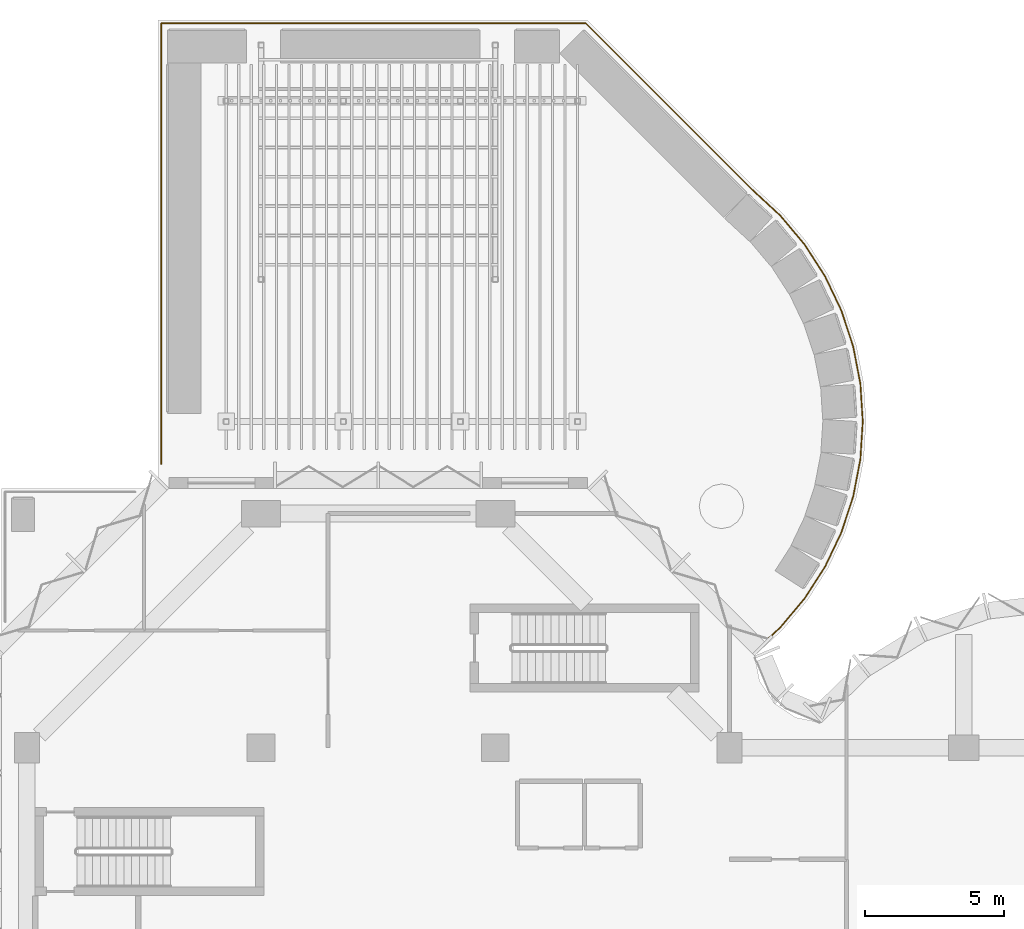
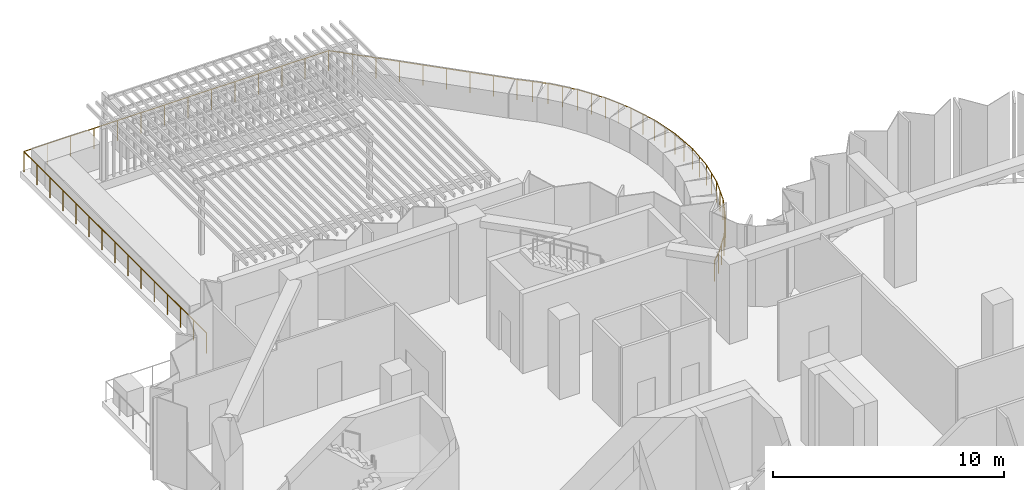
# One storey, part 15 of 15: 1 railing.
"""IFC4 building model written with IfcOpenShell, lengths in metres."""

import ifcopenshell
import ifcopenshell.guid

model = None  # the IFC model being written
_history = None  # IfcOwnerHistory: only IFC2X3 demands one
_inside = {}  # id of a spatial element -> (the spatial element, [elements in it])
_under = {}  # id of a project, library or spatial element -> (it, [spatial elements below it])
_declared = {}  # id of a project -> (the project, [libraries it declares])
_typed = {}  # id of a type object -> (the type object, [elements of that type])
_made_of = {}  # id of a material, layer set ... -> (it, [elements and type objects made of it])


def new_model(schema):
    """Start an empty IFC model of exactly this schema.

    Asked for "IFC4X3", IfcOpenShell would pick the latest addendum, in which some entities
    have other attributes; the version numbers below select the first issue.
    IFC2X3 requires an IfcOwnerHistory on every rooted entity: one is made here for all.
    """
    global model, _history
    if schema == "IFC4X3":
        model = ifcopenshell.file(schema_version=(4, 3, 0, 0))
    else:
        model = ifcopenshell.file(schema=schema)
    _inside.clear()
    _under.clear()
    _declared.clear()
    _typed.clear()
    _made_of.clear()
    _history = None
    if model.schema == "IFC2X3":
        org = make("IfcOrganization", Name="unknown")
        user = make(
            "IfcPersonAndOrganization",
            ThePerson=make("IfcPerson", FamilyName="unknown"),
            TheOrganization=org,
        )
        app = make(
            "IfcApplication",
            ApplicationDeveloper=org,
            Version="unknown",
            ApplicationFullName="unknown",
            ApplicationIdentifier="unknown",
        )
        _history = make(
            "IfcOwnerHistory",
            OwningUser=user,
            OwningApplication=app,
            ChangeAction="ADDED",
            CreationDate=0,
        )
    return model


def make(cls, **values):
    """One entity of the class cls with the attributes given. An attribute that is None is left unset."""
    return model.create_entity(
        cls, **{name: value for name, value in values.items() if value is not None}
    )


def rooted(cls, **values):
    """An entity with a GlobalId (a new one), such as an element, a storey or a relation."""
    return make(cls, GlobalId=ifcopenshell.guid.new(), OwnerHistory=_history, **values)


def si_unit(unit_type, name, prefix=None):
    """IfcSIUnit, for example si_unit("LENGTHUNIT", "METRE", prefix="MILLI")."""
    return make("IfcSIUnit", UnitType=unit_type, Prefix=prefix, Name=name)


def assignment(units):
    """IfcUnitAssignment: the units of a project."""
    return None if units is None else make("IfcUnitAssignment", Units=units)


def point(xyz):
    """IfcCartesianPoint."""
    return None if xyz is None else make("IfcCartesianPoint", Coordinates=xyz)


def direction(xyz):
    """IfcDirection."""
    return None if xyz is None else make("IfcDirection", DirectionRatios=xyz)


def frame(location, z_axis=None, x_axis=None):
    """IfcAxis2Placement3D, a coordinate frame: its origin and axes. An axis left out is left unset."""
    return make(
        "IfcAxis2Placement3D",
        Location=point(location),
        Axis=direction(z_axis),
        RefDirection=direction(x_axis),
    )


def frame_2d(location, x_axis=None):
    """IfcAxis2Placement2D, a coordinate frame in the plane: its origin and x axis."""
    return make(
        "IfcAxis2Placement2D", Location=point(location), RefDirection=direction(x_axis)
    )


def origin():
    """The frame at (0, 0, 0) with its axes left unset."""
    return frame((0.0, 0.0, 0.0))


def origin_2d():
    """The frame at (0, 0) in the plane with its x axis left unset."""
    return frame_2d((0.0, 0.0))


def place(relative_to, where):
    """IfcLocalPlacement: puts the frame where relative to a parent placement (None: the world)."""
    return make(
        "IfcLocalPlacement", PlacementRelTo=relative_to, RelativePlacement=where
    )


def context(
    kind, dimensions, precision=None, world=None, true_north=None, identifier=None
):
    """IfcGeometricRepresentationContext, for example the 3D "Model" context."""
    return make(
        "IfcGeometricRepresentationContext",
        ContextIdentifier=identifier,
        ContextType=kind,
        CoordinateSpaceDimension=dimensions,
        Precision=precision,
        WorldCoordinateSystem=world,
        TrueNorth=true_north,
    )


def subcontext(parent, identifier, kind, view, scale=None):
    """IfcGeometricRepresentationSubContext, for example "Body" below "Model"."""
    return make(
        "IfcGeometricRepresentationSubContext",
        ContextIdentifier=identifier,
        ContextType=kind,
        ParentContext=parent,
        TargetScale=scale,
        TargetView=view,
    )


def project(units=None, contexts=None):
    """IfcProject with its units and contexts."""
    return rooted(
        "IfcProject",
        Name="project",
        RepresentationContexts=contexts,
        UnitsInContext=assignment(units),
    )


def spatial(cls, under=None, at=None, **own):
    """A site, building, storey or space (cls), placed at a placement, below another one or the project."""
    s = rooted(cls, ObjectPlacement=at, **own)
    if under is not None:
        _under.setdefault(under.id(), (under, []))[1].append(s)
    return s


def profile(cls, at=None, kind="AREA", **sizes):
    """A parametric profile (cls). Its sizes go by their IFC names, for example OverallWidth=200.0."""
    return make(cls, ProfileType=kind, Position=at, **sizes)


def circle(**sizes):
    """IfcCircleProfileDef."""
    return profile("IfcCircleProfileDef", **sizes)


def extrude(swept, where, along, depth):
    """IfcExtrudedAreaSolid: the profile swept, set in the frame where, extruded along a direction by depth."""
    return make(
        "IfcExtrudedAreaSolid",
        SweptArea=swept,
        Position=where,
        ExtrudedDirection=direction(along),
        Depth=depth,
    )


def shape(context_of_items, identifier, shape_type, items):
    """IfcShapeRepresentation: the items that make up one representation, for example the "Body"."""
    return make(
        "IfcShapeRepresentation",
        ContextOfItems=context_of_items,
        RepresentationIdentifier=identifier,
        RepresentationType=shape_type,
        Items=items,
    )


def material(Name=None, Category=None):
    """IfcMaterial."""
    return make("IfcMaterial", Name=Name, Category=Category)


def made_of(thing, what):
    """Note that an element or type object is made of a material, layer set ...; save() writes the relation."""
    if what is not None:
        _made_of.setdefault(what.id(), (what, []))[1].append(thing)
    return thing


def type_object(cls, material=None, **own):
    """A type object (cls), such as IfcWallType, which elements share."""
    return made_of(rooted(cls, **own), material)


def element(
    cls,
    number,
    at=None,
    inside=None,
    cuts=None,
    type_object=None,
    material=None,
    context=None,
    identifier="Body",
    shape_type=None,
    held_by="IfcProductDefinitionShape",
    body=None,
    shapes=None,
    **own,
):
    """One element of the class cls, such as IfcWall. Its Tag is "e" and its number.

    at: its placement. inside: the storey or other place that contains it. cuts: it is an
    opening in that element (IfcRelVoidsElement). A single representation is given by context,
    identifier, shape_type and body (its items); several are given by shapes. held_by: the class
    of the entity that holds the representations. save() writes the other relations.
    """
    e = rooted(cls, Tag="e%d" % number, ObjectPlacement=at, **own)
    if body is not None:
        shapes = [shape(context, identifier, shape_type, body)]
    if shapes is not None:
        e.Representation = make(held_by, Representations=shapes)
    if inside is not None:
        _inside.setdefault(inside.id(), (inside, []))[1].append(e)
    if cuts is not None:
        rooted(
            "IfcRelVoidsElement", RelatingBuildingElement=cuts, RelatedOpeningElement=e
        )
    if type_object is not None:
        _typed.setdefault(type_object.id(), (type_object, []))[1].append(e)
    return made_of(e, material)


def aggregate(whole, parts):
    """IfcRelAggregates: a whole, such as a stair, and the parts it consists of."""
    return rooted("IfcRelAggregates", RelatingObject=whole, RelatedObjects=parts)


def save(model, path):
    """Write the relations noted so far, then the file.

    IfcRelAggregates (storeys below a building ...), IfcRelContainedInSpatialStructure (elements
    in a storey), IfcRelDefinesByType, IfcRelAssociatesMaterial and IfcRelDeclares: one each for
    every whole, place, type object, material and project.
    """
    for whole, parts in _under.values():
        aggregate(whole, parts)
    for where, things in _inside.values():
        rooted(
            "IfcRelContainedInSpatialStructure",
            RelatedElements=things,
            RelatingStructure=where,
        )
    for kind, things in _typed.values():
        rooted("IfcRelDefinesByType", RelatedObjects=things, RelatingType=kind)
    for what, things in _made_of.values():
        rooted("IfcRelAssociatesMaterial", RelatedObjects=things, RelatingMaterial=what)
    for by, libraries in _declared.values():
        rooted("IfcRelDeclares", RelatingContext=by, RelatedDefinitions=libraries)
    model.write(path)


model = new_model("IFC4")

# Units and contexts
model_context = context("Model", 3, precision=1e-05, world=origin(), true_north=direction((0.0, 1.0)))
body_context = subcontext(model_context, "Body", "Model", "MODEL_VIEW")
ifc_project = project(units=[si_unit("LENGTHUNIT", "METRE"), si_unit("AREAUNIT", "SQUARE_METRE"), si_unit("VOLUMEUNIT", "CUBIC_METRE"), si_unit("PLANEANGLEUNIT", "RADIAN"), si_unit("MASSUNIT", "GRAM", prefix="KILO")], contexts=[model_context])

# Site, building, storey
site_placement = place(None, origin())
site = spatial("IfcSite", under=ifc_project, at=site_placement, CompositionType="ELEMENT")
building_placement = place(site_placement, origin())
building = spatial("IfcBuilding", under=site, at=building_placement, Name="Brevane Broadcast Tower", CompositionType="ELEMENT")
storey_placement = place(building_placement, frame((0.0, 0.0, 206.39990234375)))
storey = spatial("IfcBuildingStorey", under=building, at=storey_placement, Name="L52", CompositionType="ELEMENT", Elevation=206.39990234375)

# Railing
ifc_material = material(Name="Stainless steel 1.4404", Category="steel")
railing_type = type_object("IfcRailingType", Name="Terrace guard 1100", PredefinedType="GUARDRAIL", material=ifc_material)
railing_placement = place(storey_placement, frame((4.820068359375, 35.37744140625, 0.0)))
element("IfcRailing", 1, at=railing_placement, inside=storey, type_object=railing_type, Name="Terrace guard L52-3", PredefinedType="GUARDRAIL", context=body_context, shape_type="SweptSolid", body=[
    extrude(circle(Radius=0.02392578125, at=origin_2d()), frame((0.0, 0.0, 1.076171875), z_axis=(0.0, 1.0, 0.0), x_axis=(-1.0, 0.0, 0.0)), (0.0, 0.0, 1.0), 15.802490234375),
    extrude(circle(Radius=0.02392578125, at=origin_2d()), frame((0.0, 15.802490234375, 1.076171875), z_axis=(1.0, 0.0, 0.0), x_axis=(0.0, 1.0, 0.0)), (0.0, 0.0, 1.0), 15.230224609375),
    extrude(circle(Radius=0.02392578125, at=origin_2d()), frame((15.230224609375, 15.802490234375, 1.076171875), z_axis=(0.707106781187, -0.707106781187, 0.0), x_axis=(0.707106781187, 0.707106781187, 0.0)), (0.0, 0.0, 1.0), 8.43798828125),
    extrude(circle(Radius=0.02392578125, at=origin_2d()), frame((21.19677734375, 9.8359375, 1.076171875), z_axis=(0.734748691449, -0.678339413874, 0.0), x_axis=(0.678339413874, 0.734748691449, 0.0)), (0.0, 0.0, 1.0), 1.36767578125),
    extrude(circle(Radius=0.02392578125, at=origin_2d()), frame((22.20166015625, 8.908203125, 1.076171875), z_axis=(0.643027604303, -0.765842999644, 0.0), x_axis=(0.765842999644, 0.643027604303, 0.0)), (0.0, 0.0, 1.0), 1.357666015625),
    extrude(circle(Radius=0.02392578125, at=origin_2d()), frame((23.07470703125, 7.868408203125, 1.076171875), z_axis=(0.540848463495, -0.841120050608, 0.0), x_axis=(0.841120050608, 0.540848463495, 0.0)), (0.0, 0.0, 1.0), 1.35791015625),
    extrude(circle(Radius=0.02392578125, at=origin_2d()), frame((23.80908203125, 6.726318359375, 1.076171875), z_axis=(0.429940560306, -0.902857195022, 0.0), x_axis=(0.902857195022, 0.429940560306, 0.0)), (0.0, 0.0, 1.0), 1.357666015625),
    extrude(circle(Radius=0.02392578125, at=origin_2d()), frame((24.392822265625, 5.50048828125, 1.076171875), z_axis=(0.312178793813, -0.950023368499, 0.0), x_axis=(0.950023368499, 0.312178793813, 0.0)), (0.0, 0.0, 1.0), 1.357666015625),
    extrude(circle(Radius=0.02392578125, at=origin_2d()), frame((24.816650390625, 4.210693359375, 1.076171875), z_axis=(0.189160834315, -0.981946118054, 0.0), x_axis=(0.981946118054, 0.189160834315, 0.0)), (0.0, 0.0, 1.0), 1.357666015625),
    extrude(circle(Radius=0.02392578125, at=origin_2d()), frame((25.073486328125, 2.87744140625, 1.076171875), z_axis=(0.063475341036, -0.997983407217, 0.0), x_axis=(0.997983407217, 0.063475341036, 0.0)), (0.0, 0.0, 1.0), 1.357666015625),
    extrude(circle(Radius=0.02392578125, at=origin_2d()), frame((25.15966796875, 1.5224609375, 1.076171875), z_axis=(-0.063475341036, -0.997983407217, 0.0), x_axis=(0.997983407217, -0.063475341036, 0.0)), (0.0, 0.0, 1.0), 1.357666015625),
    extrude(circle(Radius=0.02392578125, at=origin_2d()), frame((25.073486328125, 0.16748046875, 1.076171875), z_axis=(-0.189194239172, -0.981939682396, 0.0), x_axis=(0.981939682396, -0.189194239172, 0.0)), (0.0, 0.0, 1.0), 1.357421875),
    extrude(circle(Radius=0.02392578125, at=origin_2d()), frame((24.816650390625, -1.16552734375, 1.076171875), z_axis=(-0.312178793813, -0.950023368499, 0.0), x_axis=(0.950023368499, -0.312178793813, 0.0)), (0.0, 0.0, 1.0), 1.357666015625),
    extrude(circle(Radius=0.02392578125, at=origin_2d()), frame((24.392822265625, -2.455322265625, 1.076171875), z_axis=(-0.429940560306, -0.902857195022, 0.0), x_axis=(0.902857195022, -0.429940560306, 0.0)), (0.0, 0.0, 1.0), 1.357666015625),
    extrude(circle(Radius=0.02392578125, at=origin_2d()), frame((23.80908203125, -3.68115234375, 1.076171875), z_axis=(-0.540848463495, -0.841120050608, 0.0), x_axis=(0.841120050608, -0.540848463495, 0.0)), (0.0, 0.0, 1.0), 1.35791015625),
    extrude(circle(Radius=0.02392578125, at=origin_2d()), frame((23.07470703125, -4.8232421875, 1.076171875), z_axis=(-0.643027604303, -0.765842999644, 0.0), x_axis=(0.765842999644, -0.643027604303, 0.0)), (0.0, 0.0, 1.0), 1.357666015625),
    extrude(circle(Radius=0.02392578125, at=origin_2d()), frame((22.20166015625, -5.863037109375, 1.076171875), z_axis=(-0.734668663565, -0.67842608645, 0.0), x_axis=(0.67842608645, -0.734668663565, 0.0)), (0.0, 0.0, 1.0), 0.625),
    extrude(circle(Radius=0.02099609375, at=origin_2d()), origin(), (0.0, 0.0, 1.0), 1.052001953125),
    extrude(circle(Radius=0.02099609375, at=origin_2d()), frame((0.0, 1.128662109375, 0.0)), (0.0, 0.0, 1.0), 1.052001953125),
    extrude(circle(Radius=0.02099609375, at=origin_2d()), frame((0.0, 2.257568359375, 0.0)), (0.0, 0.0, 1.0), 1.052001953125),
    extrude(circle(Radius=0.02099609375, at=origin_2d()), frame((0.0, 3.38623046875, 0.0)), (0.0, 0.0, 1.0), 1.052001953125),
    extrude(circle(Radius=0.02099609375, at=origin_2d()), frame((0.0, 4.514892578125, 0.0)), (0.0, 0.0, 1.0), 1.052001953125),
    extrude(circle(Radius=0.02099609375, at=origin_2d()), frame((0.0, 5.643798828125, 0.0)), (0.0, 0.0, 1.0), 1.052001953125),
    extrude(circle(Radius=0.02099609375, at=origin_2d()), frame((0.0, 6.7724609375, 0.0)), (0.0, 0.0, 1.0), 1.052001953125),
    extrude(circle(Radius=0.02099609375, at=origin_2d()), frame((0.0, 7.9013671875, 0.0)), (0.0, 0.0, 1.0), 1.052001953125),
    extrude(circle(Radius=0.02099609375, at=origin_2d()), frame((0.0, 9.030029296875, 0.0)), (0.0, 0.0, 1.0), 1.052001953125),
    extrude(circle(Radius=0.02099609375, at=origin_2d()), frame((0.0, 10.15869140625, 0.0)), (0.0, 0.0, 1.0), 1.052001953125),
    extrude(circle(Radius=0.02099609375, at=origin_2d()), frame((0.0, 11.28759765625, 0.0)), (0.0, 0.0, 1.0), 1.052001953125),
    extrude(circle(Radius=0.02099609375, at=origin_2d()), frame((0.0, 12.416259765625, 0.0)), (0.0, 0.0, 1.0), 1.052001953125),
    extrude(circle(Radius=0.02099609375, at=origin_2d()), frame((0.0, 13.544921875, 0.0)), (0.0, 0.0, 1.0), 1.052001953125),
    extrude(circle(Radius=0.02099609375, at=origin_2d()), frame((0.0, 14.673828125, 0.0)), (0.0, 0.0, 1.0), 1.052001953125),
    extrude(circle(Radius=0.02099609375, at=origin_2d()), frame((0.0, 15.802490234375, 0.0)), (0.0, 0.0, 1.0), 1.052001953125),
    extrude(circle(Radius=0.02099609375, at=origin_2d()), frame((1.171630859375, 15.802490234375, 0.0)), (0.0, 0.0, 1.0), 1.052001953125),
    extrude(circle(Radius=0.02099609375, at=origin_2d()), frame((2.343017578125, 15.802490234375, 0.0)), (0.0, 0.0, 1.0), 1.052001953125),
    extrude(circle(Radius=0.02099609375, at=origin_2d()), frame((3.5146484375, 15.802490234375, 0.0)), (0.0, 0.0, 1.0), 1.052001953125),
    extrude(circle(Radius=0.02099609375, at=origin_2d()), frame((4.686279296875, 15.802490234375, 0.0)), (0.0, 0.0, 1.0), 1.052001953125),
    extrude(circle(Radius=0.02099609375, at=origin_2d()), frame((5.857666015625, 15.802490234375, 0.0)), (0.0, 0.0, 1.0), 1.052001953125),
    extrude(circle(Radius=0.02099609375, at=origin_2d()), frame((7.029296875, 15.802490234375, 0.0)), (0.0, 0.0, 1.0), 1.052001953125),
    extrude(circle(Radius=0.02099609375, at=origin_2d()), frame((8.200927734375, 15.802490234375, 0.0)), (0.0, 0.0, 1.0), 1.052001953125),
    extrude(circle(Radius=0.02099609375, at=origin_2d()), frame((9.37255859375, 15.802490234375, 0.0)), (0.0, 0.0, 1.0), 1.052001953125),
    extrude(circle(Radius=0.02099609375, at=origin_2d()), frame((10.5439453125, 15.802490234375, 0.0)), (0.0, 0.0, 1.0), 1.052001953125),
    extrude(circle(Radius=0.02099609375, at=origin_2d()), frame((11.715576171875, 15.802490234375, 0.0)), (0.0, 0.0, 1.0), 1.052001953125),
    extrude(circle(Radius=0.02099609375, at=origin_2d()), frame((12.88720703125, 15.802490234375, 0.0)), (0.0, 0.0, 1.0), 1.052001953125),
    extrude(circle(Radius=0.02099609375, at=origin_2d()), frame((14.05859375, 15.802490234375, 0.0)), (0.0, 0.0, 1.0), 1.052001953125),
    extrude(circle(Radius=0.02099609375, at=origin_2d()), frame((15.230224609375, 15.802490234375, 0.0)), (0.0, 0.0, 1.0), 1.052001953125),
    extrude(circle(Radius=0.02099609375, at=origin_2d()), frame((15.97607421875, 15.056640625, 0.0)), (0.0, 0.0, 1.0), 1.052001953125),
    extrude(circle(Radius=0.02099609375, at=origin_2d()), frame((16.721923828125, 14.310791015625, 0.0)), (0.0, 0.0, 1.0), 1.052001953125),
    extrude(circle(Radius=0.02099609375, at=origin_2d()), frame((17.4677734375, 13.56494140625, 0.0)), (0.0, 0.0, 1.0), 1.052001953125),
    extrude(circle(Radius=0.02099609375, at=origin_2d()), frame((18.21337890625, 12.8193359375, 0.0)), (0.0, 0.0, 1.0), 1.052001953125),
    extrude(circle(Radius=0.02099609375, at=origin_2d()), frame((18.959228515625, 12.073486328125, 0.0)), (0.0, 0.0, 1.0), 1.052001953125),
    extrude(circle(Radius=0.02099609375, at=origin_2d()), frame((19.705078125, 11.32763671875, 0.0)), (0.0, 0.0, 1.0), 1.052001953125),
    extrude(circle(Radius=0.02099609375, at=origin_2d()), frame((20.450927734375, 10.581787109375, 0.0)), (0.0, 0.0, 1.0), 1.052001953125),
    extrude(circle(Radius=0.02099609375, at=origin_2d()), frame((21.19677734375, 9.8359375, 0.0)), (0.0, 0.0, 1.0), 1.052001953125),
    extrude(circle(Radius=0.02099609375, at=origin_2d()), frame((21.69921875, 9.3720703125, 0.0)), (0.0, 0.0, 1.0), 1.052001953125),
    extrude(circle(Radius=0.02099609375, at=origin_2d()), frame((22.20166015625, 8.908203125, 0.0)), (0.0, 0.0, 1.0), 1.052001953125),
    extrude(circle(Radius=0.02099609375, at=origin_2d()), frame((22.63818359375, 8.38818359375, 0.0)), (0.0, 0.0, 1.0), 1.052001953125),
    extrude(circle(Radius=0.02099609375, at=origin_2d()), frame((23.07470703125, 7.868408203125, 0.0)), (0.0, 0.0, 1.0), 1.052001953125),
    extrude(circle(Radius=0.02099609375, at=origin_2d()), frame((23.44189453125, 7.29736328125, 0.0)), (0.0, 0.0, 1.0), 1.052001953125),
    extrude(circle(Radius=0.02099609375, at=origin_2d()), frame((23.80908203125, 6.726318359375, 0.0)), (0.0, 0.0, 1.0), 1.052001953125),
    extrude(circle(Radius=0.02099609375, at=origin_2d()), frame((24.10107421875, 6.11328125, 0.0)), (0.0, 0.0, 1.0), 1.052001953125),
    extrude(circle(Radius=0.02099609375, at=origin_2d()), frame((24.392822265625, 5.50048828125, 0.0)), (0.0, 0.0, 1.0), 1.052001953125),
    extrude(circle(Radius=0.02099609375, at=origin_2d()), frame((24.604736328125, 4.85546875, 0.0)), (0.0, 0.0, 1.0), 1.052001953125),
    extrude(circle(Radius=0.02099609375, at=origin_2d()), frame((24.816650390625, 4.210693359375, 0.0)), (0.0, 0.0, 1.0), 1.052001953125),
    extrude(circle(Radius=0.02099609375, at=origin_2d()), frame((24.945068359375, 3.5439453125, 0.0)), (0.0, 0.0, 1.0), 1.052001953125),
    extrude(circle(Radius=0.02099609375, at=origin_2d()), frame((25.073486328125, 2.87744140625, 0.0)), (0.0, 0.0, 1.0), 1.052001953125),
    extrude(circle(Radius=0.02099609375, at=origin_2d()), frame((25.11669921875, 2.199951171875, 0.0)), (0.0, 0.0, 1.0), 1.052001953125),
    extrude(circle(Radius=0.02099609375, at=origin_2d()), frame((25.15966796875, 1.5224609375, 0.0)), (0.0, 0.0, 1.0), 1.052001953125),
    extrude(circle(Radius=0.02099609375, at=origin_2d()), frame((25.11669921875, 0.844970703125, 0.0)), (0.0, 0.0, 1.0), 1.052001953125),
    extrude(circle(Radius=0.02099609375, at=origin_2d()), frame((25.073486328125, 0.16748046875, 0.0)), (0.0, 0.0, 1.0), 1.052001953125),
    extrude(circle(Radius=0.02099609375, at=origin_2d()), frame((24.945068359375, -0.4990234375, 0.0)), (0.0, 0.0, 1.0), 1.052001953125),
    extrude(circle(Radius=0.02099609375, at=origin_2d()), frame((24.816650390625, -1.16552734375, 0.0)), (0.0, 0.0, 1.0), 1.052001953125),
    extrude(circle(Radius=0.02099609375, at=origin_2d()), frame((24.604736328125, -1.810546875, 0.0)), (0.0, 0.0, 1.0), 1.052001953125),
    extrude(circle(Radius=0.02099609375, at=origin_2d()), frame((24.392822265625, -2.455322265625, 0.0)), (0.0, 0.0, 1.0), 1.052001953125),
    extrude(circle(Radius=0.02099609375, at=origin_2d()), frame((24.10107421875, -3.068359375, 0.0)), (0.0, 0.0, 1.0), 1.052001953125),
    extrude(circle(Radius=0.02099609375, at=origin_2d()), frame((23.80908203125, -3.68115234375, 0.0)), (0.0, 0.0, 1.0), 1.052001953125),
    extrude(circle(Radius=0.02099609375, at=origin_2d()), frame((23.44189453125, -4.252197265625, 0.0)), (0.0, 0.0, 1.0), 1.052001953125),
    extrude(circle(Radius=0.02099609375, at=origin_2d()), frame((23.07470703125, -4.8232421875, 0.0)), (0.0, 0.0, 1.0), 1.052001953125),
    extrude(circle(Radius=0.02099609375, at=origin_2d()), frame((22.63818359375, -5.34326171875, 0.0)), (0.0, 0.0, 1.0), 1.052001953125),
    extrude(circle(Radius=0.02099609375, at=origin_2d()), frame((22.20166015625, -5.863037109375, 0.0)), (0.0, 0.0, 1.0), 1.052001953125),
    extrude(circle(Radius=0.02099609375, at=origin_2d()), frame((21.742431640625, -6.287109375, 0.0)), (0.0, 0.0, 1.0), 1.052001953125),
])

save(model, "model.ifc")
